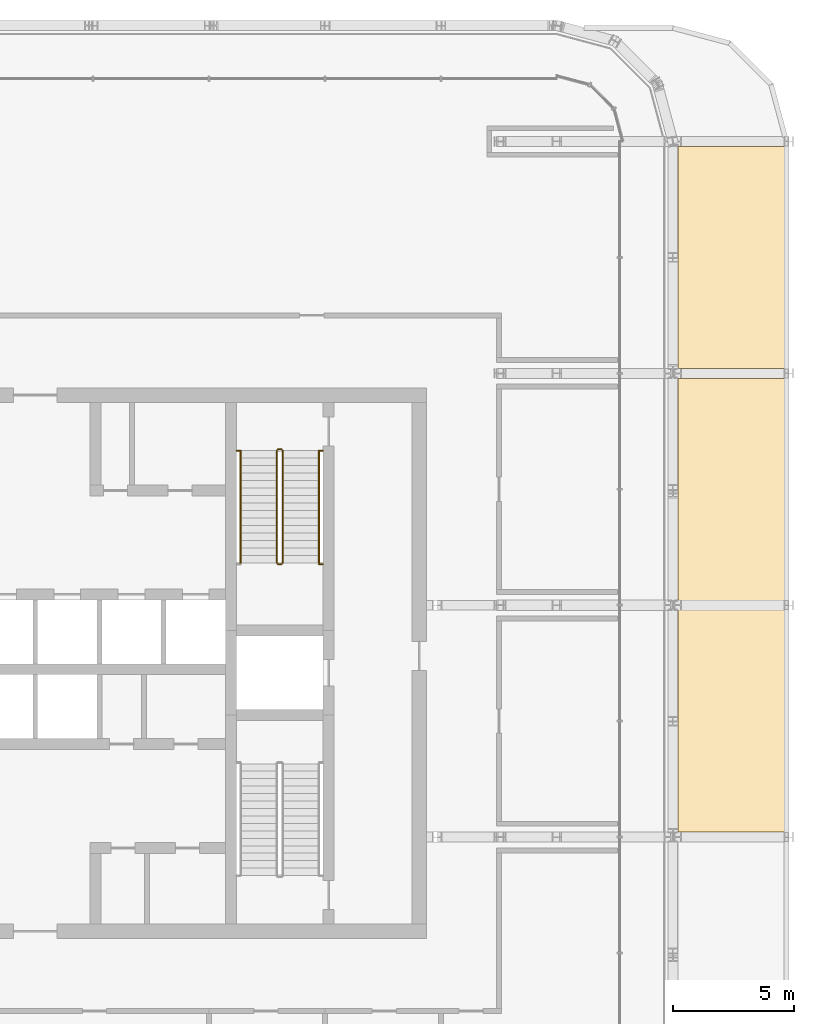
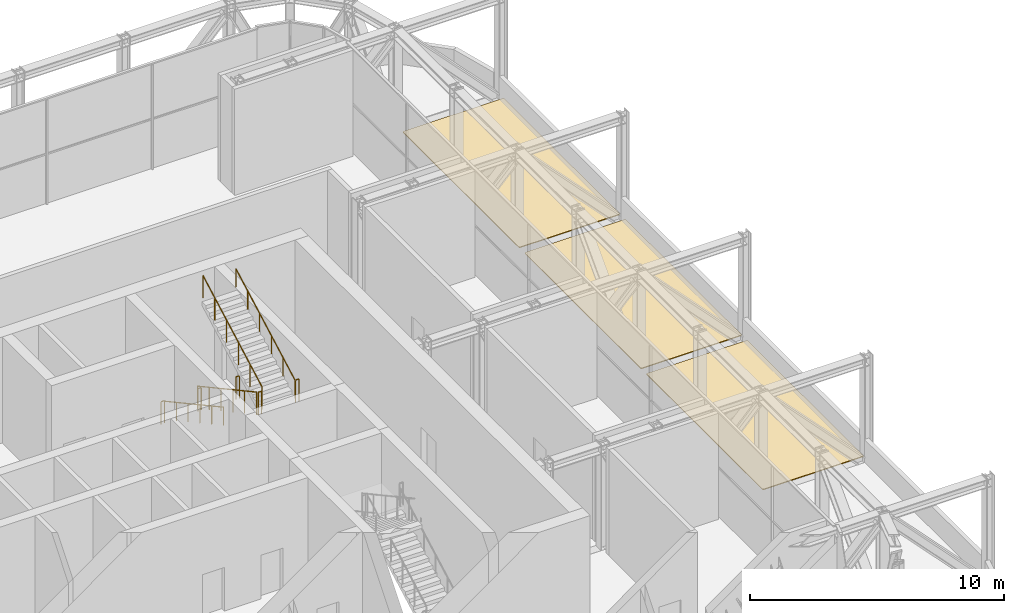
# One storey, part 25 of 26: 9 railings, 3 coverings.
"""IFC4 building model written with IfcOpenShell, lengths in metres."""

from ifc_helpers import new_model, si_unit, direction, frame, origin, origin_2d, place, context, subcontext, project, spatial, polyline, circle, outline, extrude, material, layer, layer_set, type_object, element, save


model = new_model("IFC4")

# Units and contexts
model_context = context("Model", 3, precision=1e-05, world=origin(), true_north=direction((0.0, 1.0)))
body_context = subcontext(model_context, "Body", "Model", "MODEL_VIEW")
ifc_project = project(units=[si_unit("LENGTHUNIT", "METRE"), si_unit("AREAUNIT", "SQUARE_METRE"), si_unit("VOLUMEUNIT", "CUBIC_METRE"), si_unit("PLANEANGLEUNIT", "RADIAN"), si_unit("MASSUNIT", "GRAM", prefix="KILO")], contexts=[model_context])

# Site, building, storey
site_placement = place(None, origin())
site = spatial("IfcSite", under=ifc_project, at=site_placement, CompositionType="ELEMENT")
building_placement = place(site_placement, origin())
building = spatial("IfcBuilding", under=site, at=building_placement, Name="Madar Terraces", CompositionType="ELEMENT")
storey_placement = place(building_placement, frame((0.0, 0.0, 233.300048828125)))
storey = spatial("IfcBuildingStorey", under=building, at=storey_placement, Name="L61", CompositionType="ELEMENT", Elevation=233.300048828125)

# Railings
ifc_material_1 = material(Name="Stainless steel railing", Category="steel")
railing_type_1 = type_object("IfcRailingType", Name="Stair guard 1100", PredefinedType="GUARDRAIL", material=ifc_material_1)
railing_1_placement = place(storey_placement, frame((41.199951171875, 35.199951171875, 0.168701171875)))
element("IfcRailing", 1, at=railing_1_placement, inside=storey, type_object=railing_type_1, Name="L61 ST2 stair guard 1", PredefinedType="GUARDRAIL", context=body_context, shape_type="SweptSolid", body=[
    extrude(circle(Radius=0.02392578125, at=origin_2d()), frame((0.0, 0.0, 1.076171875), z_axis=(0.0, -0.878297076953, 0.478115304728), x_axis=(1.0, 0.0, 0.0)), (0.0, 0.0, 1.0), 5.294189453125),
    extrude(circle(Radius=0.02099609375, at=origin_2d()), origin(), (0.0, 0.0, 1.0), 1.052001953125),
    extrude(circle(Radius=0.02099609375, at=origin_2d()), frame((0.0, -0.929931640625, 0.50634765625)), (0.0, 0.0, 1.0), 1.052001953125),
    extrude(circle(Radius=0.02099609375, at=origin_2d()), frame((0.0, -1.85986328125, 1.012451171875)), (0.0, 0.0, 1.0), 1.052001953125),
    extrude(circle(Radius=0.02099609375, at=origin_2d()), frame((0.0, -2.7900390625, 1.518798828125)), (0.0, 0.0, 1.0), 1.052001953125),
    extrude(circle(Radius=0.02099609375, at=origin_2d()), frame((0.0, -3.719970703125, 2.02490234375)), (0.0, 0.0, 1.0), 1.052001953125),
    extrude(circle(Radius=0.02099609375, at=origin_2d()), frame((0.0, -4.64990234375, 2.53125)), (0.0, 0.0, 1.0), 1.052001953125),
])
railing_2_placement = place(storey_placement, frame((41.25, 30.5, 2.699951171875)))
element("IfcRailing", 2, at=railing_2_placement, inside=storey, type_object=railing_type_1, Name="L61 ST2 stair guard 2", PredefinedType="GUARDRAIL", context=body_context, shape_type="SweptSolid", body=[
    extrude(circle(Radius=0.02392578125, at=origin_2d()), frame((0.0, 0.0, 1.076171875), z_axis=(1.0, 0.0, 0.0), x_axis=(0.0, 1.0, 0.0)), (0.0, 0.0, 1.0), 0.14990234375),
    extrude(circle(Radius=0.02099609375, at=origin_2d()), origin(), (0.0, 0.0, 1.0), 1.052001953125),
    extrude(circle(Radius=0.02099609375, at=origin_2d()), frame((0.14990234375, 0.0, 0.0)), (0.0, 0.0, 1.0), 1.052001953125),
])
railing_3_placement = place(storey_placement, frame((41.449951171875, 30.550048828125, 2.86865234375)))
element("IfcRailing", 3, at=railing_3_placement, inside=storey, type_object=railing_type_1, Name="L61 ST2 stair guard 3", PredefinedType="GUARDRAIL", context=body_context, shape_type="SweptSolid", body=[
    extrude(circle(Radius=0.02392578125, at=origin_2d()), frame((0.0, 0.0, 1.076171875), z_axis=(0.0, 0.878297076953, 0.478115304728), x_axis=(-1.0, 0.0, 0.0)), (0.0, 0.0, 1.0), 5.294189453125),
    extrude(circle(Radius=0.02099609375, at=origin_2d()), origin(), (0.0, 0.0, 1.0), 1.052001953125),
    extrude(circle(Radius=0.02099609375, at=origin_2d()), frame((0.0, 0.929931640625, 0.50634765625)), (0.0, 0.0, 1.0), 1.052001953125),
    extrude(circle(Radius=0.02099609375, at=origin_2d()), frame((0.0, 1.85986328125, 1.012451171875)), (0.0, 0.0, 1.0), 1.052001953125),
    extrude(circle(Radius=0.02099609375, at=origin_2d()), frame((0.0, 2.7900390625, 1.518798828125)), (0.0, 0.0, 1.0), 1.052001953125),
    extrude(circle(Radius=0.02099609375, at=origin_2d()), frame((0.0, 3.719970703125, 2.02490234375)), (0.0, 0.0, 1.0), 1.052001953125),
    extrude(circle(Radius=0.02099609375, at=origin_2d()), frame((0.0, 4.64990234375, 2.53125)), (0.0, 0.0, 1.0), 1.052001953125),
])
railing_4_placement = place(storey_placement, frame((41.25, 35.25, 0.0)))
element("IfcRailing", 4, at=railing_4_placement, inside=storey, type_object=railing_type_1, Name="L61 ST2 stair guard 4", PredefinedType="GUARDRAIL", context=body_context, shape_type="SweptSolid", body=[
    extrude(circle(Radius=0.02392578125, at=origin_2d()), frame((0.0, 0.0, 1.076171875), z_axis=(1.0, 0.0, 0.0), x_axis=(0.0, 1.0, 0.0)), (0.0, 0.0, 1.0), 0.14990234375),
    extrude(circle(Radius=0.02099609375, at=origin_2d()), origin(), (0.0, 0.0, 1.0), 1.052001953125),
    extrude(circle(Radius=0.02099609375, at=origin_2d()), frame((0.14990234375, 0.0, 0.0)), (0.0, 0.0, 1.0), 1.052001953125),
])
for number, where, name in (
    (5, (42.949951171875, 30.5, 2.699951171875), "L61 stair guard seat 2"),
    (6, (39.544921875, 35.199951171875, 0.0), "L61 stair guard floor 1"),
    (7, (42.949951171875, 35.199951171875, 0.0), "L61 stair guard floor 2"),
):
    element("IfcRailing", number, at=place(storey_placement, frame(where)), inside=storey, type_object=railing_type_1, Name=name, PredefinedType="GUARDRAIL", context=body_context, shape_type="SweptSolid", body=[
        extrude(circle(Radius=0.02392578125, at=origin_2d()), frame((0.0, 0.0, 1.076171875), z_axis=(1.0, 0.0, 0.0), x_axis=(0.0, 1.0, 0.0)), (0.0, 0.0, 1.0), 0.155029296875),
        extrude(circle(Radius=0.02099609375, at=origin_2d()), origin(), (0.0, 0.0, 1.0), 1.052001953125),
        extrude(circle(Radius=0.02099609375, at=origin_2d()), frame((0.155029296875, 0.0, 0.0)), (0.0, 0.0, 1.0), 1.052001953125),
    ])
ifc_material_2 = material(Name="Stainless steel railing", Category="steel")
railing_type_2 = type_object("IfcRailingType", Name="Stair handrail 900", PredefinedType="HANDRAIL", material=ifc_material_2)
railing_5_placement = place(storey_placement, frame((39.699951171875, 35.199951171875, 0.168701171875)))
element("IfcRailing", 8, at=railing_5_placement, inside=storey, type_object=railing_type_2, Name="L61 ST2 stair handrail 1", PredefinedType="HANDRAIL", context=body_context, shape_type="SweptSolid", body=[
    extrude(circle(Radius=0.02392578125, at=origin_2d()), frame((0.0, 0.0, 0.8759765625), z_axis=(0.0, -0.878297076953, 0.478115304728), x_axis=(1.0, 0.0, 0.0)), (0.0, 0.0, 1.0), 5.294189453125),
    extrude(circle(Radius=0.02099609375, at=origin_2d()), origin(), (0.0, 0.0, 1.0), 0.851806640625),
    extrude(circle(Radius=0.02099609375, at=origin_2d()), frame((0.0, -0.929931640625, 0.50634765625)), (0.0, 0.0, 1.0), 0.851806640625),
    extrude(circle(Radius=0.02099609375, at=origin_2d()), frame((0.0, -1.85986328125, 1.012451171875)), (0.0, 0.0, 1.0), 0.851806640625),
    extrude(circle(Radius=0.02099609375, at=origin_2d()), frame((0.0, -2.7900390625, 1.518798828125)), (0.0, 0.0, 1.0), 0.851806640625),
    extrude(circle(Radius=0.02099609375, at=origin_2d()), frame((0.0, -3.719970703125, 2.02490234375)), (0.0, 0.0, 1.0), 0.851806640625),
    extrude(circle(Radius=0.02099609375, at=origin_2d()), frame((0.0, -4.64990234375, 2.53125)), (0.0, 0.0, 1.0), 0.851806640625),
])
railing_6_placement = place(storey_placement, frame((42.949951171875, 30.550048828125, 2.86865234375)))
element("IfcRailing", 9, at=railing_6_placement, inside=storey, type_object=railing_type_2, Name="L61 ST2 stair handrail 2", PredefinedType="HANDRAIL", context=body_context, shape_type="SweptSolid", body=[
    extrude(circle(Radius=0.02392578125, at=origin_2d()), frame((0.0, 0.0, 0.8759765625), z_axis=(0.0, 0.878297076953, 0.478115304728), x_axis=(-1.0, 0.0, 0.0)), (0.0, 0.0, 1.0), 5.294189453125),
    extrude(circle(Radius=0.02099609375, at=origin_2d()), origin(), (0.0, 0.0, 1.0), 0.851806640625),
    extrude(circle(Radius=0.02099609375, at=origin_2d()), frame((0.0, 0.929931640625, 0.50634765625)), (0.0, 0.0, 1.0), 0.851806640625),
    extrude(circle(Radius=0.02099609375, at=origin_2d()), frame((0.0, 1.85986328125, 1.012451171875)), (0.0, 0.0, 1.0), 0.851806640625),
    extrude(circle(Radius=0.02099609375, at=origin_2d()), frame((0.0, 2.7900390625, 1.518798828125)), (0.0, 0.0, 1.0), 0.851806640625),
    extrude(circle(Radius=0.02099609375, at=origin_2d()), frame((0.0, 3.719970703125, 2.02490234375)), (0.0, 0.0, 1.0), 0.851806640625),
    extrude(circle(Radius=0.02099609375, at=origin_2d()), frame((0.0, 4.64990234375, 2.53125)), (0.0, 0.0, 1.0), 0.851806640625),
])

# Coverings
ifc_material_3 = material(Name="Porcelain paving slabs on pedestals")
ifc_layer = layer(ifc_material_3, 0.0400390625)
ifc_layer_set = layer_set([ifc_layer], Name="Terrace paving 40")
covering_type = type_object("IfcCoveringType", Name="Terrace paving 40", PredefinedType="FLOORING", material=ifc_layer_set)
covering_1_placement = place(storey_placement, origin())
element("IfcCovering", 10, at=covering_1_placement, inside=storey, type_object=covering_type, Name="Terrace paving", PredefinedType="FLOORING", context=body_context, shape_type="SweptSolid", body=[
    extrude(outline(polyline([(62.397705078125, 19.43994140625), (62.396240234375, 19.435302734375), (62.39404296875, 19.430908203125), (62.3916015625, 19.4267578125), (62.388671875, 19.4228515625), (62.385498046875, 19.419189453125), (62.381591796875, 19.415771484375), (62.377685546875, 19.412841796875), (62.37353515625, 19.410400390625), (62.369140625, 19.408203125), (62.364501953125, 19.406494140625), (62.35986328125, 19.405517578125), (62.35498046875, 19.40478515625), (62.35009765625, 19.404541015625), (57.8544921875, 19.404541015625), (57.849609375, 19.40478515625), (57.8447265625, 19.405517578125), (57.840087890625, 19.406494140625), (57.835205078125, 19.408203125), (57.830810546875, 19.410400390625), (57.82666015625, 19.412841796875), (57.82275390625, 19.415771484375), (57.819091796875, 19.419189453125), (57.81591796875, 19.4228515625), (57.81298828125, 19.4267578125), (57.810302734375, 19.430908203125), (57.808349609375, 19.435302734375), (57.806640625, 19.43994140625), (57.805419921875, 19.444580078125), (57.8046875, 19.44970703125), (57.804443359375, 19.45458984375), (57.804443359375, 28.54541015625), (57.8046875, 28.55029296875), (57.805419921875, 28.555419921875), (57.806640625, 28.56005859375), (57.808349609375, 28.564697265625), (57.810302734375, 28.569091796875), (57.81298828125, 28.5732421875), (57.81591796875, 28.5771484375), (57.819091796875, 28.580810546875), (57.82275390625, 28.584228515625), (57.82666015625, 28.587158203125), (57.830810546875, 28.589599609375), (57.835205078125, 28.591796875), (57.840087890625, 28.593505859375), (57.8447265625, 28.594482421875), (57.849609375, 28.59521484375), (57.8544921875, 28.595458984375), (62.35009765625, 28.595458984375), (62.35498046875, 28.59521484375), (62.35986328125, 28.594482421875), (62.364501953125, 28.593505859375), (62.369140625, 28.591796875), (62.37353515625, 28.589599609375), (62.377685546875, 28.587158203125), (62.381591796875, 28.584228515625), (62.385498046875, 28.580810546875), (62.388671875, 28.5771484375), (62.3916015625, 28.5732421875), (62.39404296875, 28.569091796875), (62.396240234375, 28.564697265625), (62.397705078125, 28.56005859375), (62.39892578125, 28.555419921875), (62.39990234375, 28.55029296875), (62.39990234375, 28.54541015625), (62.39990234375, 19.45458984375), (62.39990234375, 19.44970703125), (62.39892578125, 19.444580078125), (62.397705078125, 19.43994140625)])), origin(), (0.0, 0.0, 1.0), 0.0400390625),
])
covering_2_placement = place(storey_placement, origin())
element("IfcCovering", 11, at=covering_2_placement, inside=storey, type_object=covering_type, Name="Terrace paving", PredefinedType="FLOORING", context=body_context, shape_type="SweptSolid", body=[
    extrude(outline(polyline([(62.39892578125, 29.044677734375), (62.397705078125, 29.0400390625), (62.396240234375, 29.035400390625), (62.39404296875, 29.031005859375), (62.3916015625, 29.026611328125), (62.388671875, 29.022705078125), (62.385498046875, 29.01904296875), (62.381591796875, 29.015869140625), (62.377685546875, 29.012939453125), (62.37353515625, 29.010498046875), (62.369140625, 29.00830078125), (62.364501953125, 29.006591796875), (62.35986328125, 29.00537109375), (62.35498046875, 29.004638671875), (62.35009765625, 29.00439453125), (57.8544921875, 29.00439453125), (57.849609375, 29.004638671875), (57.8447265625, 29.00537109375), (57.840087890625, 29.006591796875), (57.835205078125, 29.00830078125), (57.830810546875, 29.010498046875), (57.82666015625, 29.012939453125), (57.82275390625, 29.015869140625), (57.819091796875, 29.01904296875), (57.81591796875, 29.022705078125), (57.81298828125, 29.026611328125), (57.810302734375, 29.031005859375), (57.808349609375, 29.035400390625), (57.806640625, 29.0400390625), (57.805419921875, 29.044677734375), (57.8046875, 29.049560546875), (57.804443359375, 29.054443359375), (57.804443359375, 38.1455078125), (57.8046875, 38.150390625), (57.805419921875, 38.1552734375), (57.806640625, 38.159912109375), (57.808349609375, 38.164794921875), (57.810302734375, 38.169189453125), (57.81298828125, 38.17333984375), (57.81591796875, 38.17724609375), (57.819091796875, 38.180908203125), (57.82275390625, 38.18408203125), (57.82666015625, 38.18701171875), (57.830810546875, 38.189697265625), (57.835205078125, 38.191650390625), (57.840087890625, 38.193359375), (57.8447265625, 38.194580078125), (57.849609375, 38.1953125), (57.8544921875, 38.195556640625), (62.35009765625, 38.195556640625), (62.35498046875, 38.1953125), (62.35986328125, 38.194580078125), (62.364501953125, 38.193359375), (62.369140625, 38.191650390625), (62.37353515625, 38.189697265625), (62.377685546875, 38.18701171875), (62.381591796875, 38.18408203125), (62.385498046875, 38.180908203125), (62.388671875, 38.17724609375), (62.3916015625, 38.17333984375), (62.39404296875, 38.169189453125), (62.396240234375, 38.164794921875), (62.397705078125, 38.159912109375), (62.39892578125, 38.1552734375), (62.39990234375, 38.150390625), (62.39990234375, 38.1455078125), (62.39990234375, 29.054443359375), (62.39990234375, 29.049560546875), (62.39892578125, 29.044677734375)])), origin(), (0.0, 0.0, 1.0), 0.0400390625),
])
covering_3_placement = place(storey_placement, origin())
element("IfcCovering", 12, at=covering_3_placement, inside=storey, type_object=covering_type, Name="Terrace paving", PredefinedType="FLOORING", context=body_context, shape_type="SweptSolid", body=[
    extrude(outline(polyline([(62.397705078125, 38.639892578125), (62.396240234375, 38.63525390625), (62.39404296875, 38.630859375), (62.3916015625, 38.626708984375), (62.388671875, 38.622802734375), (62.385498046875, 38.619140625), (62.381591796875, 38.61572265625), (62.377685546875, 38.61279296875), (62.37353515625, 38.6103515625), (62.369140625, 38.6083984375), (62.364501953125, 38.606689453125), (62.35986328125, 38.60546875), (62.35498046875, 38.604736328125), (62.35009765625, 38.6044921875), (57.8544921875, 38.6044921875), (57.849609375, 38.604736328125), (57.8447265625, 38.60546875), (57.840087890625, 38.606689453125), (57.835205078125, 38.6083984375), (57.830810546875, 38.6103515625), (57.82666015625, 38.61279296875), (57.82275390625, 38.61572265625), (57.819091796875, 38.619140625), (57.81591796875, 38.622802734375), (57.81298828125, 38.626708984375), (57.810302734375, 38.630859375), (57.808349609375, 38.63525390625), (57.806640625, 38.639892578125), (57.805419921875, 38.644775390625), (57.8046875, 38.649658203125), (57.804443359375, 38.654541015625), (57.804443359375, 47.74560546875), (57.8046875, 47.75048828125), (57.805419921875, 47.75537109375), (57.806640625, 47.760009765625), (57.808349609375, 47.7646484375), (57.810302734375, 47.76904296875), (57.81298828125, 47.773193359375), (57.81591796875, 47.777099609375), (57.819091796875, 47.781005859375), (57.82275390625, 47.7841796875), (57.82666015625, 47.787109375), (57.830810546875, 47.78955078125), (57.835205078125, 47.791748046875), (57.840087890625, 47.79345703125), (57.8447265625, 47.794677734375), (57.849609375, 47.79541015625), (57.8544921875, 47.79541015625), (62.35009765625, 47.79541015625), (62.35498046875, 47.79541015625), (62.35986328125, 47.794677734375), (62.364501953125, 47.79345703125), (62.369140625, 47.791748046875), (62.37353515625, 47.78955078125), (62.377685546875, 47.787109375), (62.381591796875, 47.7841796875), (62.385498046875, 47.781005859375), (62.388671875, 47.777099609375), (62.3916015625, 47.773193359375), (62.39404296875, 47.76904296875), (62.396240234375, 47.7646484375), (62.397705078125, 47.760009765625), (62.39892578125, 47.75537109375), (62.39990234375, 47.75048828125), (62.39990234375, 47.74560546875), (62.39990234375, 38.654541015625), (62.39990234375, 38.649658203125), (62.39892578125, 38.644775390625), (62.397705078125, 38.639892578125)])), origin(), (0.0, 0.0, 1.0), 0.0400390625),
])

save(model, "model.ifc")
